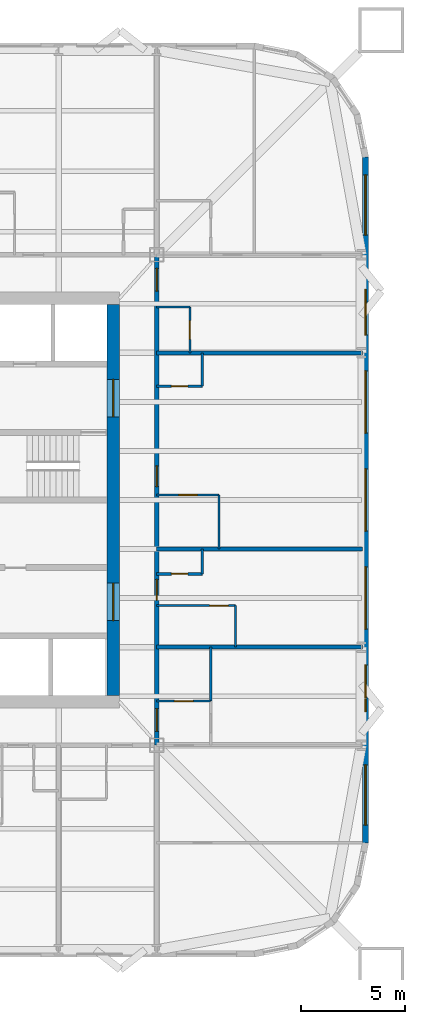
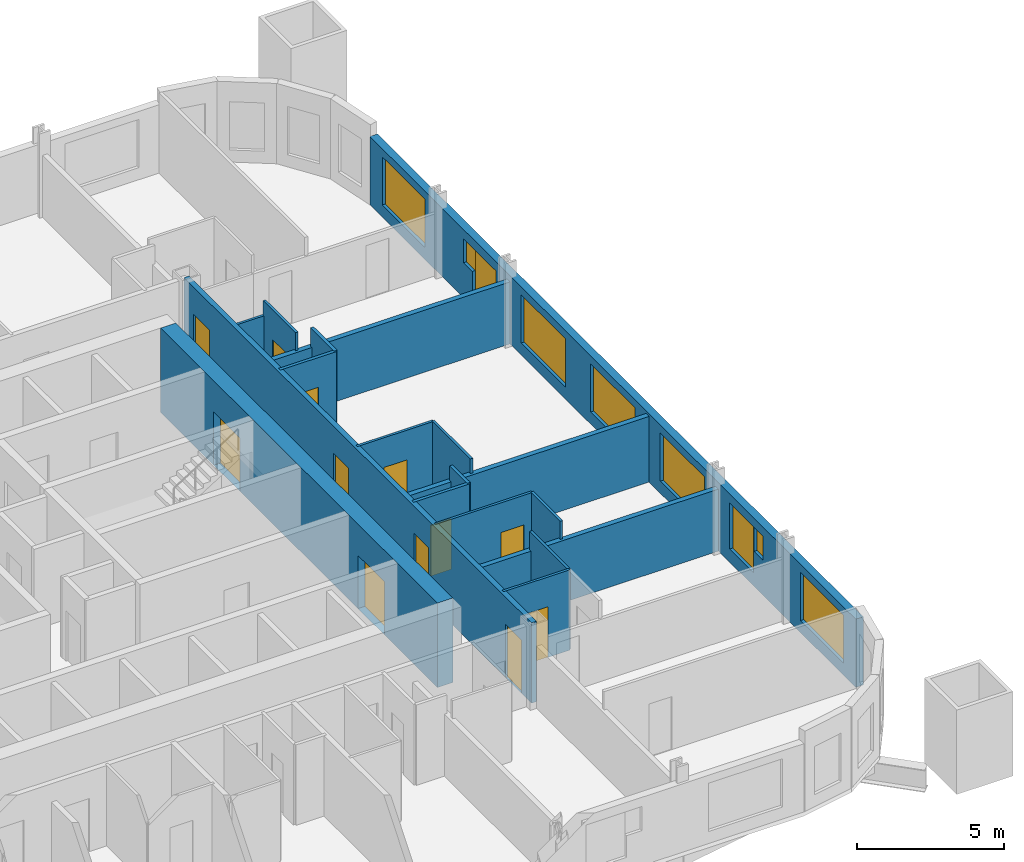
# One storey, part 6 of 10: 18 walls, 12 doors, 9 windows, 21 openings.
"""IFC4 building model written with IfcOpenShell, lengths in metres."""

from ifc_helpers import new_model, si_unit, direction, frame, frame_2d, origin, place, context, subcontext, project, spatial, rectangle, extrude, material, layer, layer_set, type_object, element, fill, save


model = new_model("IFC4")

# Units and contexts
model_context = context("Model", 3, precision=1e-05, world=origin(), true_north=direction((0.0, 1.0)))
body_context = subcontext(model_context, "Body", "Model", "MODEL_VIEW")
ifc_project = project(units=[si_unit("LENGTHUNIT", "METRE"), si_unit("AREAUNIT", "SQUARE_METRE"), si_unit("VOLUMEUNIT", "CUBIC_METRE"), si_unit("PLANEANGLEUNIT", "RADIAN"), si_unit("MASSUNIT", "GRAM", prefix="KILO")], contexts=[model_context])

# Site, building, storey
site_placement = place(None, origin())
site = spatial("IfcSite", under=ifc_project, at=site_placement, CompositionType="ELEMENT")
building_placement = place(site_placement, origin())
building = spatial("IfcBuilding", under=site, at=building_placement, Name="Turquesa Mirador Hotel Tower", CompositionType="ELEMENT")
storey_placement = place(building_placement, frame((0.0, 0.0, 70.5)))
storey = spatial("IfcBuildingStorey", under=building, at=storey_placement, Name="L18", CompositionType="ELEMENT", Elevation=70.5)

# Wall, opening, door
ifc_material_1 = material(Name="Gypsum board on steel studs", Category="steel")
ifc_layer_1 = layer(ifc_material_1, 0.10009765625)
ifc_layer_set_1 = layer_set([ifc_layer_1], Name="BATHROOM WALL 100")
wall_type_1 = type_object("IfcWallType", Name="BATHROOM WALL 100", PredefinedType="PARTITIONING", material=ifc_layer_set_1)
wall_1_placement = place(storey_placement, frame((66.800048828125, 39.919921875, 0.0), z_axis=(0.0, 0.0, 1.0), x_axis=(1.0, 0.0, 0.0)))
wall_1 = element("IfcWall", 1, at=wall_1_placement, inside=storey, type_object=wall_type_1, Name="Partition L18 017", PredefinedType="PARTITIONING", context=body_context, shape_type="SweptSolid", body=[
    extrude(rectangle(XDim=3.800048828125, YDim=0.10009765625, at=frame_2d((1.89990234375, 0.0))), origin(), (0.0, 0.0, 1.0), 3.330078125),
])
opening_1_placement = place(wall_1_placement, frame((2.550048828125, 0.0, 0.0)))
opening_1 = element("IfcOpeningElement", 2, at=opening_1_placement, cuts=wall_1, Name="Opening D02", PredefinedType="OPENING", context=body_context, shape_type="SweptSolid", body=[
    extrude(rectangle(XDim=0.89990234375, YDim=2.10009765625, at=frame_2d((0.449951171875, 1.050048828125))), frame((0.0, 0.06005859375, 0.0), z_axis=(0.0, -1.0, 0.0), x_axis=(1.0, 0.0, 0.0)), (0.0, 0.0, 1.0), 0.1201171875),
])
ifc_material_2 = material(Name="Timber veneered door", Category="wood")
door_type_1 = type_object("IfcDoorType", Name="DOOR 900X2100 EN-SUITE", OperationType="SINGLE_SWING_RIGHT", PredefinedType="DOOR", material=ifc_material_2)
door_1_placement = place(opening_1_placement, origin())
door_1 = element("IfcDoor", 3, at=door_1_placement, inside=storey, type_object=door_type_1, Name="Door 1808B", OperationType="SINGLE_SWING_RIGHT", OverallHeight=2.10009765625, OverallWidth=0.89990234375, PredefinedType="DOOR", context=body_context, shape_type="SweptSolid", body=[
    extrude(rectangle(XDim=0.89990234375, YDim=2.10009765625, at=frame_2d((0.449951171875, 1.050048828125))), frame((0.0, 0.02490234375, 0.0), z_axis=(0.0, -1.0, 0.0), x_axis=(1.0, 0.0, 0.0)), (0.0, 0.0, 1.0), 0.050048828125),
])
fill(opening_1, door_1)

wall_2_placement = place(storey_placement, frame((66.800048828125, 35.320068359375, 0.0), z_axis=(0.0, 0.0, 1.0), x_axis=(1.0, 0.0, 0.0)))
wall_2 = element("IfcWall", 4, at=wall_2_placement, inside=storey, type_object=wall_type_1, Name="Partition L18 021", PredefinedType="PARTITIONING", context=body_context, shape_type="SweptSolid", body=[
    extrude(rectangle(XDim=2.599853515625, YDim=0.10009765625, at=frame_2d((1.2998046875, 0.0))), origin(), (0.0, 0.0, 1.0), 3.330078125),
])
opening_2_placement = place(wall_2_placement, frame((0.85009765625, 0.0, 0.0)))
opening_2 = element("IfcOpeningElement", 5, at=opening_2_placement, cuts=wall_2, Name="Opening D02", PredefinedType="OPENING", context=body_context, shape_type="SweptSolid", body=[
    extrude(rectangle(XDim=0.89990234375, YDim=2.10009765625, at=frame_2d((0.449951171875, 1.050048828125))), frame((0.0, 0.06005859375, 0.0), z_axis=(0.0, -1.0, 0.0), x_axis=(1.0, 0.0, 0.0)), (0.0, 0.0, 1.0), 0.1201171875),
])
door_2_placement = place(opening_2_placement, origin())
door_2 = element("IfcDoor", 6, at=door_2_placement, inside=storey, type_object=door_type_1, Name="Door 1815B", OperationType="SINGLE_SWING_RIGHT", OverallHeight=2.10009765625, OverallWidth=0.89990234375, PredefinedType="DOOR", context=body_context, shape_type="SweptSolid", body=[
    extrude(rectangle(XDim=0.89990234375, YDim=2.10009765625, at=frame_2d((0.449951171875, 1.050048828125))), frame((0.0, 0.02490234375, 0.0), z_axis=(0.0, -1.0, 0.0), x_axis=(1.0, 0.0, 0.0)), (0.0, 0.0, 1.0), 0.050048828125),
])
fill(opening_2, door_2)

wall_3_placement = place(storey_placement, frame((66.800048828125, 45.239990234375, 0.0), z_axis=(0.0, 0.0, 1.0), x_axis=(1.0, 0.0, 0.0)))
wall_3 = element("IfcWall", 7, at=wall_3_placement, inside=storey, type_object=wall_type_1, Name="Partition L18 023", PredefinedType="PARTITIONING", context=body_context, shape_type="SweptSolid", body=[
    extrude(rectangle(XDim=3.0, YDim=0.10009765625, at=frame_2d((1.5, 0.0))), origin(), (0.0, 0.0, 1.0), 3.330078125),
])
opening_3_placement = place(wall_3_placement, frame((1.050048828125, 0.0, 0.0)))
opening_3 = element("IfcOpeningElement", 8, at=opening_3_placement, cuts=wall_3, Name="Opening D02", PredefinedType="OPENING", context=body_context, shape_type="SweptSolid", body=[
    extrude(rectangle(XDim=0.89990234375, YDim=2.10009765625, at=frame_2d((0.449951171875, 1.050048828125))), frame((0.0, 0.06005859375, 0.0), z_axis=(0.0, -1.0, 0.0), x_axis=(1.0, 0.0, 0.0)), (0.0, 0.0, 1.0), 0.1201171875),
])
door_3_placement = place(opening_3_placement, origin())
door_3 = element("IfcDoor", 9, at=door_3_placement, inside=storey, type_object=door_type_1, Name="Door 1809B", OperationType="SINGLE_SWING_RIGHT", OverallHeight=2.10009765625, OverallWidth=0.89990234375, PredefinedType="DOOR", context=body_context, shape_type="SweptSolid", body=[
    extrude(rectangle(XDim=0.89990234375, YDim=2.10009765625, at=frame_2d((0.449951171875, 1.050048828125))), frame((0.0, 0.02490234375, 0.0), z_axis=(0.0, -1.0, 0.0), x_axis=(1.0, 0.0, 0.0)), (0.0, 0.0, 1.0), 0.050048828125),
])
fill(opening_3, door_3)

# Wall
wall_4_placement = place(storey_placement, frame((66.800048828125, 54.280029296875, 0.0), z_axis=(0.0, 0.0, 1.0), x_axis=(1.0, 0.0, 0.0)))
element("IfcWall", 10, at=wall_4_placement, inside=storey, type_object=wall_type_1, Name="Partition L18 039", PredefinedType="PARTITIONING", context=body_context, shape_type="SweptSolid", body=[
    extrude(rectangle(XDim=1.599853515625, YDim=0.10009765625, at=frame_2d((0.7998046875, 0.0))), origin(), (0.0, 0.0, 1.0), 2.722900390625),
])

# Wall, opening, door
wall_5_placement = place(storey_placement, frame((68.39990234375, 52.080078125, 0.0), z_axis=(0.0, 0.0, 1.0), x_axis=(0.0, 1.0, 0.0)))
wall_5 = element("IfcWall", 11, at=wall_5_placement, inside=storey, type_object=wall_type_1, Name="Partition L18 064", PredefinedType="PARTITIONING", context=body_context, shape_type="SweptSolid", body=[
    extrude(rectangle(XDim=2.199951171875, YDim=0.10009765625, at=frame_2d((1.10009765625, 0.0))), origin(), (0.0, 0.0, 1.0), 3.330078125),
])
opening_4_placement = place(wall_5_placement, frame((0.64990234375, 0.0, 0.0)))
opening_4 = element("IfcOpeningElement", 12, at=opening_4_placement, cuts=wall_5, Name="Opening D06", PredefinedType="OPENING", context=body_context, shape_type="SweptSolid", body=[
    extrude(rectangle(XDim=0.89990234375, YDim=2.10009765625, at=frame_2d((0.449951171875, 1.050048828125))), frame((0.0, 0.06005859375, 0.0), z_axis=(0.0, -1.0, 0.0), x_axis=(1.0, 0.0, 0.0)), (0.0, 0.0, 1.0), 0.1201171875),
])
ifc_material_3 = material(Name="Laminate door", Category="wood")
door_type_2 = type_object("IfcDoorType", Name="DOOR 900X2100 WC", OperationType="SINGLE_SWING_LEFT", PredefinedType="DOOR", material=ifc_material_3)
door_4_placement = place(opening_4_placement, origin())
door_4 = element("IfcDoor", 13, at=door_4_placement, inside=storey, type_object=door_type_2, Name="Door 1812W", OperationType="SINGLE_SWING_LEFT", OverallHeight=2.10009765625, OverallWidth=0.89990234375, PredefinedType="DOOR", context=body_context, shape_type="SweptSolid", body=[
    extrude(rectangle(XDim=0.89990234375, YDim=2.10009765625, at=frame_2d((0.449951171875, 1.050048828125))), frame((0.0, 0.02490234375, 0.0), z_axis=(0.0, -1.0, 0.0), x_axis=(1.0, 0.0, 0.0)), (0.0, 0.0, 1.0), 0.050048828125),
])
fill(opening_4, door_4)

# Walls
wall_6_placement = place(storey_placement, frame((69.39990234375, 35.320068359375, 0.0), z_axis=(0.0, 0.0, 1.0), x_axis=(0.0, 1.0, 0.0)))
element("IfcWall", 14, at=wall_6_placement, inside=storey, type_object=wall_type_1, Name="Partition L18 067", PredefinedType="PARTITIONING", context=body_context, shape_type="SweptSolid", body=[
    extrude(rectangle(XDim=2.599853515625, YDim=0.10009765625, at=frame_2d((1.2998046875, 0.0))), origin(), (0.0, 0.0, 1.0), 3.330078125),
])
wall_7_placement = place(storey_placement, frame((69.800048828125, 42.639892578125, 0.0), z_axis=(0.0, 0.0, 1.0), x_axis=(0.0, 1.0, 0.0)))
element("IfcWall", 15, at=wall_7_placement, inside=storey, type_object=wall_type_1, Name="Partition L18 070", PredefinedType="PARTITIONING", context=body_context, shape_type="SweptSolid", body=[
    extrude(rectangle(XDim=2.60009765625, YDim=0.10009765625, at=frame_2d((1.300048828125, 0.0))), origin(), (0.0, 0.0, 1.0), 3.330078125),
])
wall_8_placement = place(storey_placement, frame((70.60009765625, 37.919921875, 0.0), z_axis=(0.0, 0.0, 1.0), x_axis=(0.0, 1.0, 0.0)))
element("IfcWall", 16, at=wall_8_placement, inside=storey, type_object=wall_type_1, Name="Partition L18 071", PredefinedType="PARTITIONING", context=body_context, shape_type="SweptSolid", body=[
    extrude(rectangle(XDim=2.0, YDim=0.10009765625, at=frame_2d((1.0, 0.0))), origin(), (0.0, 0.0, 1.0), 3.330078125),
])

# Wall, openings, doors
ifc_material_4 = material(Name="Concrete C50/60", Category="concrete")
ifc_layer_2 = layer(ifc_material_4, 0.60009765625)
ifc_layer_set_2 = layer_set([ifc_layer_2], Name="CORE WALL 600")
wall_type_2 = type_object("IfcWallType", Name="CORE WALL 600", PredefinedType="SHEAR", material=ifc_layer_set_2)
wall_9_placement = place(storey_placement, frame((64.699951171875, 35.60009765625, 0.0), z_axis=(0.0, 0.0, 1.0), x_axis=(0.0, 1.0, 0.0)))
wall_9 = element("IfcWall", 17, at=wall_9_placement, inside=storey, type_object=wall_type_2, Name="Core wall E", PredefinedType="SHEAR", context=body_context, shape_type="SweptSolid", body=[
    extrude(rectangle(XDim=18.7998046875, YDim=0.60009765625, at=frame_2d((9.39990234375, 0.0))), origin(), (0.0, 0.0, 1.0), 3.5),
])
opening_5_placement = place(wall_9_placement, frame((13.39990234375, 0.0, 0.0)))
opening_5 = element("IfcOpeningElement", 18, at=opening_5_placement, cuts=wall_9, Name="Opening D04", PredefinedType="OPENING", context=body_context, shape_type="SweptSolid", body=[
    extrude(rectangle(XDim=1.800048828125, YDim=2.199951171875, at=frame_2d((0.89990234375, 1.10009765625))), frame((0.0, 0.31005859375, 0.0), z_axis=(0.0, -1.0, 0.0), x_axis=(1.0, 0.0, 0.0)), (0.0, 0.0, 1.0), 0.6201171875),
])
opening_6_placement = place(wall_9_placement, frame((3.60009765625, 0.0, 0.0)))
opening_6 = element("IfcOpeningElement", 19, at=opening_6_placement, cuts=wall_9, Name="Opening D04", PredefinedType="OPENING", context=body_context, shape_type="SweptSolid", body=[
    extrude(rectangle(XDim=1.800048828125, YDim=2.199951171875, at=frame_2d((0.89990234375, 1.10009765625))), frame((0.0, 0.31005859375, 0.0), z_axis=(0.0, -1.0, 0.0), x_axis=(1.0, 0.0, 0.0)), (0.0, 0.0, 1.0), 0.6201171875),
])
ifc_material_5 = material(Name="Steel fire door pair", Category="steel")
door_type_3 = type_object("IfcDoorType", Name="DOOR 1800X2200 PAIR", OperationType="DOUBLE_DOOR_SINGLE_SWING", PredefinedType="DOOR", material=ifc_material_5)
door_5_placement = place(opening_5_placement, origin())
door_5 = element("IfcDoor", 20, at=door_5_placement, inside=storey, type_object=door_type_3, Name="Firefighting lobby door", OperationType="DOUBLE_DOOR_SINGLE_SWING", OverallHeight=2.199951171875, OverallWidth=1.800048828125, PredefinedType="DOOR", context=body_context, shape_type="SweptSolid", body=[
    extrude(rectangle(XDim=1.800048828125, YDim=2.199951171875, at=frame_2d((0.89990234375, 1.10009765625))), frame((0.0, 0.02490234375, 0.0), z_axis=(0.0, -1.0, 0.0), x_axis=(1.0, 0.0, 0.0)), (0.0, 0.0, 1.0), 0.050048828125),
])
fill(opening_5, door_5)
door_6_placement = place(opening_6_placement, origin())
door_6 = element("IfcDoor", 21, at=door_6_placement, inside=storey, type_object=door_type_3, Name="South lift lobby door", OperationType="DOUBLE_DOOR_SINGLE_SWING", OverallHeight=2.199951171875, OverallWidth=1.800048828125, PredefinedType="DOOR", context=body_context, shape_type="SweptSolid", body=[
    extrude(rectangle(XDim=1.800048828125, YDim=2.199951171875, at=frame_2d((0.89990234375, 1.10009765625))), frame((0.0, 0.02490234375, 0.0), z_axis=(0.0, -1.0, 0.0), x_axis=(1.0, 0.0, 0.0)), (0.0, 0.0, 1.0), 0.050048828125),
])
fill(opening_6, door_6)

ifc_material_6 = material(Name="Fire-rated gypsum board on steel studs", Category="steel")
ifc_layer_3 = layer(ifc_material_6, 0.199951171875)
ifc_layer_set_3 = layer_set([ifc_layer_3], Name="CORRIDOR WALL 200")
wall_type_3 = type_object("IfcWallType", Name="CORRIDOR WALL 200", PredefinedType="PARTITIONING", material=ifc_layer_set_3)
wall_10_placement = place(storey_placement, frame((66.800048828125, 33.199951171875, 0.0), z_axis=(0.0, 0.0, 1.0), x_axis=(0.0, 1.0, 0.0)))
wall_10 = element("IfcWall", 22, at=wall_10_placement, inside=storey, type_object=wall_type_3, Name="Partition L18 061", PredefinedType="PARTITIONING", context=body_context, shape_type="SweptSolid", body=[
    extrude(rectangle(XDim=23.60009765625, YDim=0.199951171875, at=frame_2d((11.800048828125, 0.0))), origin(), (0.0, 0.0, 1.0), 3.330078125),
])
opening_7_placement = place(wall_10_placement, frame((6.97998046875, 0.0, 0.0)))
opening_7 = element("IfcOpeningElement", 23, at=opening_7_placement, cuts=wall_10, Name="Opening D01", PredefinedType="OPENING", context=body_context, shape_type="SweptSolid", body=[
    extrude(rectangle(XDim=1.0, YDim=2.199951171875, at=frame_2d((0.5, 1.10009765625))), frame((0.0, 0.10986328125, 0.0), z_axis=(0.0, -1.0, 0.0), x_axis=(1.0, 0.0, 0.0)), (0.0, 0.0, 1.0), 0.219970703125),
])
opening_8_placement = place(wall_10_placement, frame((12.43994140625, 0.0, 0.0)))
opening_8 = element("IfcOpeningElement", 24, at=opening_8_placement, cuts=wall_10, Name="Opening D01", PredefinedType="OPENING", context=body_context, shape_type="SweptSolid", body=[
    extrude(rectangle(XDim=1.0, YDim=2.199951171875, at=frame_2d((0.5, 1.10009765625))), frame((0.0, 0.10986328125, 0.0), z_axis=(0.0, -1.0, 0.0), x_axis=(1.0, 0.0, 0.0)), (0.0, 0.0, 1.0), 0.219970703125),
])
opening_9_placement = place(wall_10_placement, frame((21.85009765625, 0.0, 0.0)))
opening_9 = element("IfcOpeningElement", 25, at=opening_9_placement, cuts=wall_10, Name="Opening D15", PredefinedType="OPENING", context=body_context, shape_type="SweptSolid", body=[
    extrude(rectangle(XDim=1.10009765625, YDim=2.199951171875, at=frame_2d((0.550048828125, 1.10009765625))), frame((0.0, 0.10986328125, 0.0), z_axis=(0.0, -1.0, 0.0), x_axis=(1.0, 0.0, 0.0)), (0.0, 0.0, 1.0), 0.219970703125),
])
opening_10_placement = place(wall_10_placement, frame((0.659912109375, 0.0, 0.0)))
opening_10 = element("IfcOpeningElement", 26, at=opening_10_placement, cuts=wall_10, Name="Opening D15", PredefinedType="OPENING", context=body_context, shape_type="SweptSolid", body=[
    extrude(rectangle(XDim=1.10009765625, YDim=2.199951171875, at=frame_2d((0.550048828125, 1.10009765625))), frame((0.0, 0.10986328125, 0.0), z_axis=(0.0, -1.0, 0.0), x_axis=(1.0, 0.0, 0.0)), (0.0, 0.0, 1.0), 0.219970703125),
])
ifc_material_7 = material(Name="Timber veneered fire door", Category="wood")
door_type_4 = type_object("IfcDoorType", Name="DOOR 1000X2200 GUEST ENTRY", OperationType="SINGLE_SWING_LEFT", PredefinedType="DOOR", material=ifc_material_7)
door_7_placement = place(opening_7_placement, origin())
door_7 = element("IfcDoor", 27, at=door_7_placement, inside=storey, type_object=door_type_4, Name="Door 1808", OperationType="SINGLE_SWING_LEFT", OverallHeight=2.199951171875, OverallWidth=1.0, PredefinedType="DOOR", context=body_context, shape_type="SweptSolid", body=[
    extrude(rectangle(XDim=1.0, YDim=2.199951171875, at=frame_2d((0.5, 1.10009765625))), frame((0.0, 0.02490234375, 0.0), z_axis=(0.0, -1.0, 0.0), x_axis=(1.0, 0.0, 0.0)), (0.0, 0.0, 1.0), 0.050048828125),
])
fill(opening_7, door_7)
door_8_placement = place(opening_8_placement, origin())
door_8 = element("IfcDoor", 28, at=door_8_placement, inside=storey, type_object=door_type_4, Name="Door 1809", OperationType="SINGLE_SWING_LEFT", OverallHeight=2.199951171875, OverallWidth=1.0, PredefinedType="DOOR", context=body_context, shape_type="SweptSolid", body=[
    extrude(rectangle(XDim=1.0, YDim=2.199951171875, at=frame_2d((0.5, 1.10009765625))), frame((0.0, 0.02490234375, 0.0), z_axis=(0.0, -1.0, 0.0), x_axis=(1.0, 0.0, 0.0)), (0.0, 0.0, 1.0), 0.050048828125),
])
fill(opening_8, door_8)
ifc_material_8 = material(Name="Timber veneered fire door", Category="wood")
door_type_5 = type_object("IfcDoorType", Name="DOOR 1100X2200 SUITE ENTRY", OperationType="SINGLE_SWING_LEFT", PredefinedType="DOOR", material=ifc_material_8)
door_9_placement = place(opening_9_placement, origin())
door_9 = element("IfcDoor", 29, at=door_9_placement, inside=storey, type_object=door_type_5, Name="Door 1812", OperationType="SINGLE_SWING_LEFT", OverallHeight=2.199951171875, OverallWidth=1.10009765625, PredefinedType="DOOR", context=body_context, shape_type="SweptSolid", body=[
    extrude(rectangle(XDim=1.10009765625, YDim=2.199951171875, at=frame_2d((0.550048828125, 1.10009765625))), frame((0.0, 0.02490234375, 0.0), z_axis=(0.0, -1.0, 0.0), x_axis=(1.0, 0.0, 0.0)), (0.0, 0.0, 1.0), 0.050048828125),
])
fill(opening_9, door_9)
door_10_placement = place(opening_10_placement, origin())
door_10 = element("IfcDoor", 30, at=door_10_placement, inside=storey, type_object=door_type_5, Name="Door 1815H", OperationType="SINGLE_SWING_LEFT", OverallHeight=2.199951171875, OverallWidth=1.10009765625, PredefinedType="DOOR", context=body_context, shape_type="SweptSolid", body=[
    extrude(rectangle(XDim=1.10009765625, YDim=2.199951171875, at=frame_2d((0.550048828125, 1.10009765625))), frame((0.0, 0.02490234375, 0.0), z_axis=(0.0, -1.0, 0.0), x_axis=(1.0, 0.0, 0.0)), (0.0, 0.0, 1.0), 0.050048828125),
])
fill(opening_10, door_10)

# Wall, openings, windows
ifc_material_9 = material(Name="Limestone cladding on concrete block", Category="masonry")
ifc_layer_4 = layer(ifc_material_9, 0.300048828125)
ifc_layer_set_4 = layer_set([ifc_layer_4], Name="FACADE WALL 300 STONE SCREEN")
wall_type_4 = type_object("IfcWallType", Name="FACADE WALL 300 STONE SCREEN", PredefinedType="SOLIDWALL", material=ifc_layer_set_4)
wall_11_placement = place(storey_placement, frame((76.85009765625, 28.5, 0.0), z_axis=(0.0, 0.0, 1.0), x_axis=(0.0, 1.0, 0.0)))
wall_11 = element("IfcWall", 31, at=wall_11_placement, inside=storey, type_object=wall_type_4, Name="Facade wall L18 04", PredefinedType="SOLIDWALL", context=body_context, shape_type="SweptSolid", body=[
    extrude(rectangle(XDim=33.0, YDim=0.300048828125, at=frame_2d((16.5, 0.0))), origin(), (0.0, 0.0, 1.0), 2.830078125),
])
opening_11_placement = place(wall_11_placement, frame((0.85009765625, 0.0, 0.5)))
opening_11 = element("IfcOpeningElement", 32, at=opening_11_placement, cuts=wall_11, Name="Opening WN54", PredefinedType="OPENING", context=body_context, shape_type="SweptSolid", body=[
    extrude(rectangle(XDim=2.89990234375, YDim=2.0, at=frame_2d((1.449951171875, 1.0))), frame((0.0, 0.159912109375, 0.0), z_axis=(0.0, -1.0, 0.0), x_axis=(1.0, 0.0, 0.0)), (0.0, 0.0, 1.0), 0.320068359375),
])
opening_12_placement = place(wall_11_placement, frame((6.9599609375, 0.0, 0.550048828125)))
opening_12 = element("IfcOpeningElement", 33, at=opening_12_placement, cuts=wall_11, Name="Opening WN44", PredefinedType="OPENING", context=body_context, shape_type="SweptSolid", body=[
    extrude(rectangle(XDim=1.60009765625, YDim=1.89990234375, at=frame_2d((0.800048828125, 0.949951171875))), frame((0.0, 0.159912109375, 0.0), z_axis=(0.0, -1.0, 0.0), x_axis=(1.0, 0.0, 0.0)), (0.0, 0.0, 1.0), 0.320068359375),
])
opening_13_placement = place(wall_11_placement, frame((10.280029296875, 0.0, 0.5)))
opening_13 = element("IfcOpeningElement", 34, at=opening_13_placement, cuts=wall_11, Name="Opening WN1", PredefinedType="OPENING", context=body_context, shape_type="SweptSolid", body=[
    extrude(rectangle(XDim=3.0, YDim=2.0, at=frame_2d((1.5, 1.0))), frame((0.0, 0.159912109375, 0.0), z_axis=(0.0, -1.0, 0.0), x_axis=(1.0, 0.0, 0.0)), (0.0, 0.0, 1.0), 0.320068359375),
])
opening_14_placement = place(wall_11_placement, frame((15.0, 0.0, 0.5)))
opening_14 = element("IfcOpeningElement", 35, at=opening_14_placement, cuts=wall_11, Name="Opening WN1", PredefinedType="OPENING", context=body_context, shape_type="SweptSolid", body=[
    extrude(rectangle(XDim=3.0, YDim=2.0, at=frame_2d((1.5, 1.0))), frame((0.0, 0.159912109375, 0.0), z_axis=(0.0, -1.0, 0.0), x_axis=(1.0, 0.0, 0.0)), (0.0, 0.0, 1.0), 0.320068359375),
])
opening_15_placement = place(wall_11_placement, frame((19.719970703125, 0.0, 0.5)))
opening_15 = element("IfcOpeningElement", 36, at=opening_15_placement, cuts=wall_11, Name="Opening WN1", PredefinedType="OPENING", context=body_context, shape_type="SweptSolid", body=[
    extrude(rectangle(XDim=3.0, YDim=2.0, at=frame_2d((1.5, 1.0))), frame((0.0, 0.159912109375, 0.0), z_axis=(0.0, -1.0, 0.0), x_axis=(1.0, 0.0, 0.0)), (0.0, 0.0, 1.0), 0.320068359375),
])
opening_16_placement = place(wall_11_placement, frame((24.43994140625, 0.0, 0.550048828125)))
opening_16 = element("IfcOpeningElement", 37, at=opening_16_placement, cuts=wall_11, Name="Opening WN44", PredefinedType="OPENING", context=body_context, shape_type="SweptSolid", body=[
    extrude(rectangle(XDim=1.60009765625, YDim=1.89990234375, at=frame_2d((0.800048828125, 0.949951171875))), frame((0.0, 0.159912109375, 0.0), z_axis=(0.0, -1.0, 0.0), x_axis=(1.0, 0.0, 0.0)), (0.0, 0.0, 1.0), 0.320068359375),
])
opening_17_placement = place(wall_11_placement, frame((29.25, 0.0, 0.5)))
opening_17 = element("IfcOpeningElement", 38, at=opening_17_placement, cuts=wall_11, Name="Opening WN54", PredefinedType="OPENING", context=body_context, shape_type="SweptSolid", body=[
    extrude(rectangle(XDim=2.89990234375, YDim=2.0, at=frame_2d((1.449951171875, 1.0))), frame((0.0, 0.159912109375, 0.0), z_axis=(0.0, -1.0, 0.0), x_axis=(1.0, 0.0, 0.0)), (0.0, 0.0, 1.0), 0.320068359375),
])
opening_18_placement = place(wall_11_placement, frame((6.31005859375, 0.0, 1.449951171875)))
opening_18 = element("IfcOpeningElement", 39, at=opening_18_placement, cuts=wall_11, Name="Opening WN29", PredefinedType="OPENING", context=body_context, shape_type="SweptSolid", body=[
    extrude(rectangle(XDim=0.60009765625, YDim=1.0, at=frame_2d((0.300048828125, 0.5))), frame((0.0, 0.159912109375, 0.0), z_axis=(0.0, -1.0, 0.0), x_axis=(1.0, 0.0, 0.0)), (0.0, 0.0, 1.0), 0.320068359375),
])
opening_19_placement = place(wall_11_placement, frame((26.0400390625, 0.0, 1.449951171875)))
opening_19 = element("IfcOpeningElement", 40, at=opening_19_placement, cuts=wall_11, Name="Opening WN29", PredefinedType="OPENING", context=body_context, shape_type="SweptSolid", body=[
    extrude(rectangle(XDim=0.60009765625, YDim=1.0, at=frame_2d((0.300048828125, 0.5))), frame((0.0, 0.159912109375, 0.0), z_axis=(0.0, -1.0, 0.0), x_axis=(1.0, 0.0, 0.0)), (0.0, 0.0, 1.0), 0.320068359375),
])
ifc_material_10 = material(Name="Ceramic-fritted laminated glass", Category="glass")
window_type_1 = type_object("IfcWindowType", Name="FRITTED WINDOW 1600X1900", PartitioningType="DOUBLE_PANEL_HORIZONTAL", PredefinedType="WINDOW", material=ifc_material_10)
window_1_placement = place(opening_12_placement, origin())
window_1 = element("IfcWindow", 41, at=window_1_placement, inside=storey, type_object=window_type_1, Name="Window L18", OverallHeight=1.89990234375, OverallWidth=1.60009765625, PartitioningType="SINGLE_PANEL", PredefinedType="WINDOW", context=body_context, shape_type="SweptSolid", body=[
    extrude(rectangle(XDim=1.60009765625, YDim=1.89990234375, at=frame_2d((0.800048828125, 0.949951171875))), frame((0.0, 0.030029296875, 0.0), z_axis=(0.0, -1.0, 0.0), x_axis=(1.0, 0.0, 0.0)), (0.0, 0.0, 1.0), 0.06005859375),
])
fill(opening_12, window_1)
window_2_placement = place(opening_16_placement, origin())
window_2 = element("IfcWindow", 42, at=window_2_placement, inside=storey, type_object=window_type_1, Name="Window L18", OverallHeight=1.89990234375, OverallWidth=1.60009765625, PartitioningType="SINGLE_PANEL", PredefinedType="WINDOW", context=body_context, shape_type="SweptSolid", body=[
    extrude(rectangle(XDim=1.60009765625, YDim=1.89990234375, at=frame_2d((0.800048828125, 0.949951171875))), frame((0.0, 0.030029296875, 0.0), z_axis=(0.0, -1.0, 0.0), x_axis=(1.0, 0.0, 0.0)), (0.0, 0.0, 1.0), 0.06005859375),
])
fill(opening_16, window_2)
ifc_material_11 = material(Name="Ceramic-fritted laminated glass", Category="glass")
window_type_2 = type_object("IfcWindowType", Name="FRITTED WINDOW 2900X2000", PartitioningType="DOUBLE_PANEL_HORIZONTAL", PredefinedType="WINDOW", material=ifc_material_11)
window_3_placement = place(opening_11_placement, origin())
window_3 = element("IfcWindow", 43, at=window_3_placement, inside=storey, type_object=window_type_2, Name="Window L18", OverallHeight=2.0, OverallWidth=2.89990234375, PartitioningType="SINGLE_PANEL", PredefinedType="WINDOW", context=body_context, shape_type="SweptSolid", body=[
    extrude(rectangle(XDim=2.89990234375, YDim=2.0, at=frame_2d((1.449951171875, 1.0))), frame((0.0, 0.030029296875, 0.0), z_axis=(0.0, -1.0, 0.0), x_axis=(1.0, 0.0, 0.0)), (0.0, 0.0, 1.0), 0.06005859375),
])
fill(opening_11, window_3)
window_4_placement = place(opening_17_placement, origin())
window_4 = element("IfcWindow", 44, at=window_4_placement, inside=storey, type_object=window_type_2, Name="Window L18", OverallHeight=2.0, OverallWidth=2.89990234375, PartitioningType="SINGLE_PANEL", PredefinedType="WINDOW", context=body_context, shape_type="SweptSolid", body=[
    extrude(rectangle(XDim=2.89990234375, YDim=2.0, at=frame_2d((1.449951171875, 1.0))), frame((0.0, 0.030029296875, 0.0), z_axis=(0.0, -1.0, 0.0), x_axis=(1.0, 0.0, 0.0)), (0.0, 0.0, 1.0), 0.06005859375),
])
fill(opening_17, window_4)
ifc_material_12 = material(Name="Ceramic-fritted laminated glass", Category="glass")
window_type_3 = type_object("IfcWindowType", Name="FRITTED WINDOW 3000X2000", PartitioningType="DOUBLE_PANEL_HORIZONTAL", PredefinedType="WINDOW", material=ifc_material_12)
window_5_placement = place(opening_13_placement, origin())
window_5 = element("IfcWindow", 45, at=window_5_placement, inside=storey, type_object=window_type_3, Name="Window L18", OverallHeight=2.0, OverallWidth=3.0, PartitioningType="SINGLE_PANEL", PredefinedType="WINDOW", context=body_context, shape_type="SweptSolid", body=[
    extrude(rectangle(XDim=3.0, YDim=2.0, at=frame_2d((1.5, 1.0))), frame((0.0, 0.030029296875, 0.0), z_axis=(0.0, -1.0, 0.0), x_axis=(1.0, 0.0, 0.0)), (0.0, 0.0, 1.0), 0.06005859375),
])
fill(opening_13, window_5)
window_6_placement = place(opening_14_placement, origin())
window_6 = element("IfcWindow", 46, at=window_6_placement, inside=storey, type_object=window_type_3, Name="Window L18", OverallHeight=2.0, OverallWidth=3.0, PartitioningType="SINGLE_PANEL", PredefinedType="WINDOW", context=body_context, shape_type="SweptSolid", body=[
    extrude(rectangle(XDim=3.0, YDim=2.0, at=frame_2d((1.5, 1.0))), frame((0.0, 0.030029296875, 0.0), z_axis=(0.0, -1.0, 0.0), x_axis=(1.0, 0.0, 0.0)), (0.0, 0.0, 1.0), 0.06005859375),
])
fill(opening_14, window_6)
window_7_placement = place(opening_15_placement, origin())
window_7 = element("IfcWindow", 47, at=window_7_placement, inside=storey, type_object=window_type_3, Name="Window L18", OverallHeight=2.0, OverallWidth=3.0, PartitioningType="SINGLE_PANEL", PredefinedType="WINDOW", context=body_context, shape_type="SweptSolid", body=[
    extrude(rectangle(XDim=3.0, YDim=2.0, at=frame_2d((1.5, 1.0))), frame((0.0, 0.030029296875, 0.0), z_axis=(0.0, -1.0, 0.0), x_axis=(1.0, 0.0, 0.0)), (0.0, 0.0, 1.0), 0.06005859375),
])
fill(opening_15, window_7)
ifc_material_13 = material(Name="Ceramic-fritted laminated glass", Category="glass")
window_type_4 = type_object("IfcWindowType", Name="FRITTED WINDOW 600X1000", PartitioningType="DOUBLE_PANEL_HORIZONTAL", PredefinedType="WINDOW", material=ifc_material_13)
window_8_placement = place(opening_18_placement, origin())
window_8 = element("IfcWindow", 48, at=window_8_placement, inside=storey, type_object=window_type_4, Name="Window L18", OverallHeight=1.0, OverallWidth=0.60009765625, PartitioningType="SINGLE_PANEL", PredefinedType="WINDOW", context=body_context, shape_type="SweptSolid", body=[
    extrude(rectangle(XDim=0.60009765625, YDim=1.0, at=frame_2d((0.300048828125, 0.5))), frame((0.0, 0.030029296875, 0.0), z_axis=(0.0, -1.0, 0.0), x_axis=(1.0, 0.0, 0.0)), (0.0, 0.0, 1.0), 0.06005859375),
])
fill(opening_18, window_8)
window_9_placement = place(opening_19_placement, origin())
window_9 = element("IfcWindow", 49, at=window_9_placement, inside=storey, type_object=window_type_4, Name="Window L18", OverallHeight=1.0, OverallWidth=0.60009765625, PartitioningType="SINGLE_PANEL", PredefinedType="WINDOW", context=body_context, shape_type="SweptSolid", body=[
    extrude(rectangle(XDim=0.60009765625, YDim=1.0, at=frame_2d((0.300048828125, 0.5))), frame((0.0, 0.030029296875, 0.0), z_axis=(0.0, -1.0, 0.0), x_axis=(1.0, 0.0, 0.0)), (0.0, 0.0, 1.0), 0.06005859375),
])
fill(opening_19, window_9)

# Walls
ifc_material_14 = material(Name="Fire-rated gypsum board on steel studs", Category="steel")
ifc_layer_5 = layer(ifc_material_14, 0.199951171875)
ifc_layer_set_5 = layer_set([ifc_layer_5], Name="PARTY WALL 200")
wall_type_5 = type_object("IfcWallType", Name="PARTY WALL 200", PredefinedType="PARTITIONING", material=ifc_layer_set_5)
wall_12_placement = place(storey_placement, frame((66.800048828125, 42.639892578125, 0.0), z_axis=(0.0, 0.0, 1.0), x_axis=(1.0, 0.0, 0.0)))
element("IfcWall", 50, at=wall_12_placement, inside=storey, type_object=wall_type_5, Name="Partition L18 014", PredefinedType="PARTITIONING", context=body_context, shape_type="SweptSolid", body=[
    extrude(rectangle(XDim=9.89990234375, YDim=0.199951171875, at=frame_2d((4.949951171875, 0.0))), origin(), (0.0, 0.0, 1.0), 2.722900390625),
])
for number, where, z_axis, x_axis, name in (
    (51, (66.800048828125, 37.919921875, 0.0), (0.0, 0.0, 1.0), (1.0, 0.0, 0.0), "Partition L18 019"),
    (52, (66.800048828125, 52.080078125, 0.0), (0.0, 0.0, 1.0), (1.0, 0.0, 0.0), "Partition L18 037"),
):
    element("IfcWall", number, at=place(storey_placement, frame(where, z_axis=z_axis, x_axis=x_axis)), inside=storey, type_object=wall_type_5, Name=name, PredefinedType="PARTITIONING", context=body_context, shape_type="SweptSolid", body=[
        extrude(rectangle(XDim=9.89990234375, YDim=0.199951171875, at=frame_2d((4.949951171875, 0.0))), origin(), (0.0, 0.0, 1.0), 2.572998046875),
    ])

# Wall, opening, door
ifc_material_15 = material(Name="Acoustic gypsum board on steel studs", Category="steel")
ifc_layer_6 = layer(ifc_material_15, 0.125)
ifc_layer_set_6 = layer_set([ifc_layer_6], Name="SUITE PARTITION 125")
wall_type_6 = type_object("IfcWallType", Name="SUITE PARTITION 125", PredefinedType="PARTITIONING", material=ifc_layer_set_6)
wall_13_placement = place(storey_placement, frame((66.800048828125, 41.43994140625, 0.0), z_axis=(0.0, 0.0, 1.0), x_axis=(1.0, 0.0, 0.0)))
wall_13 = element("IfcWall", 53, at=wall_13_placement, inside=storey, type_object=wall_type_6, Name="Partition L18 015", PredefinedType="PARTITIONING", context=body_context, shape_type="SweptSolid", body=[
    extrude(rectangle(XDim=2.199951171875, YDim=0.125, at=frame_2d((1.10009765625, 0.0))), origin(), (0.0, 0.0, 1.0), 3.330078125),
])
opening_20_placement = place(wall_13_placement, frame((0.699951171875, 0.0, 0.0)))
opening_20 = element("IfcOpeningElement", 54, at=opening_20_placement, cuts=wall_13, Name="Opening D20", PredefinedType="OPENING", context=body_context, shape_type="SweptSolid", body=[
    extrude(rectangle(XDim=0.800048828125, YDim=2.10009765625, at=frame_2d((0.39990234375, 1.050048828125))), frame((0.0, 0.072509765625, 0.0), z_axis=(0.0, -1.0, 0.0), x_axis=(1.0, 0.0, 0.0)), (0.0, 0.0, 1.0), 0.14501953125),
])
ifc_material_16 = material(Name="Timber veneered sliding door", Category="wood")
door_type_6 = type_object("IfcDoorType", Name="DOOR 800X2100 WARDROBE", OperationType="SLIDING_TO_LEFT", PredefinedType="DOOR", material=ifc_material_16)
door_11_placement = place(opening_20_placement, origin())
door_11 = element("IfcDoor", 55, at=door_11_placement, inside=storey, type_object=door_type_6, Name="Door 1808W", OperationType="SLIDING_TO_LEFT", OverallHeight=2.10009765625, OverallWidth=0.800048828125, PredefinedType="DOOR", context=body_context, shape_type="SweptSolid", body=[
    extrude(rectangle(XDim=0.800048828125, YDim=2.10009765625, at=frame_2d((0.39990234375, 1.050048828125))), frame((0.0, 0.02490234375, 0.0), z_axis=(0.0, -1.0, 0.0), x_axis=(1.0, 0.0, 0.0)), (0.0, 0.0, 1.0), 0.050048828125),
])
fill(opening_20, door_11)

wall_14_placement = place(storey_placement, frame((66.800048828125, 50.47998046875, 0.0), z_axis=(0.0, 0.0, 1.0), x_axis=(1.0, 0.0, 0.0)))
wall_14 = element("IfcWall", 56, at=wall_14_placement, inside=storey, type_object=wall_type_6, Name="Partition L18 035", PredefinedType="PARTITIONING", context=body_context, shape_type="SweptSolid", body=[
    extrude(rectangle(XDim=2.199951171875, YDim=0.125, at=frame_2d((1.10009765625, 0.0))), origin(), (0.0, 0.0, 1.0), 3.330078125),
])
opening_21_placement = place(wall_14_placement, frame((0.699951171875, 0.0, 0.0)))
opening_21 = element("IfcOpeningElement", 57, at=opening_21_placement, cuts=wall_14, Name="Opening D20", PredefinedType="OPENING", context=body_context, shape_type="SweptSolid", body=[
    extrude(rectangle(XDim=0.800048828125, YDim=2.10009765625, at=frame_2d((0.39990234375, 1.050048828125))), frame((0.0, 0.072509765625, 0.0), z_axis=(0.0, -1.0, 0.0), x_axis=(1.0, 0.0, 0.0)), (0.0, 0.0, 1.0), 0.14501953125),
])
door_12_placement = place(opening_21_placement, origin())
door_12 = element("IfcDoor", 58, at=door_12_placement, inside=storey, type_object=door_type_6, Name="Door 1809W", OperationType="SLIDING_TO_LEFT", OverallHeight=2.10009765625, OverallWidth=0.800048828125, PredefinedType="DOOR", context=body_context, shape_type="SweptSolid", body=[
    extrude(rectangle(XDim=0.800048828125, YDim=2.10009765625, at=frame_2d((0.39990234375, 1.050048828125))), frame((0.0, 0.02490234375, 0.0), z_axis=(0.0, -1.0, 0.0), x_axis=(1.0, 0.0, 0.0)), (0.0, 0.0, 1.0), 0.050048828125),
])
fill(opening_21, door_12)

# Walls
wall_15_placement = place(storey_placement, frame((69.0, 41.43994140625, 0.0), z_axis=(0.0, 0.0, 1.0), x_axis=(0.0, 1.0, 0.0)))
element("IfcWall", 59, at=wall_15_placement, inside=storey, type_object=wall_type_6, Name="Partition L18 065", PredefinedType="PARTITIONING", context=body_context, shape_type="SweptSolid", body=[
    extrude(rectangle(XDim=1.199951171875, YDim=0.125, at=frame_2d((0.60009765625, 0.0))), origin(), (0.0, 0.0, 1.0), 3.330078125),
])
wall_16_placement = place(storey_placement, frame((69.0, 50.47998046875, 0.0), z_axis=(0.0, 0.0, 1.0), x_axis=(0.0, 1.0, 0.0)))
element("IfcWall", 60, at=wall_16_placement, inside=storey, type_object=wall_type_6, Name="Partition L18 066", PredefinedType="PARTITIONING", context=body_context, shape_type="SweptSolid", body=[
    extrude(rectangle(XDim=1.60009765625, YDim=0.125, at=frame_2d((0.800048828125, 0.0))), origin(), (0.0, 0.0, 1.0), 3.330078125),
])

save(model, "model.ifc")
